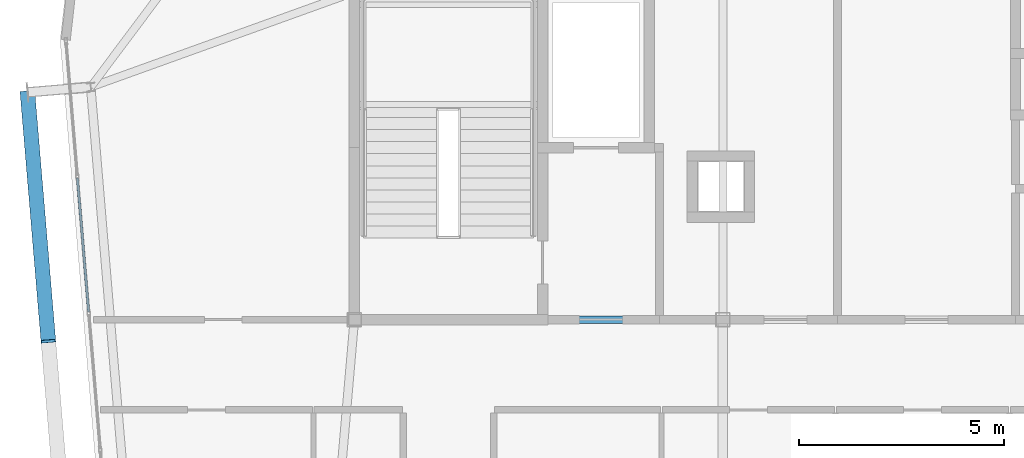
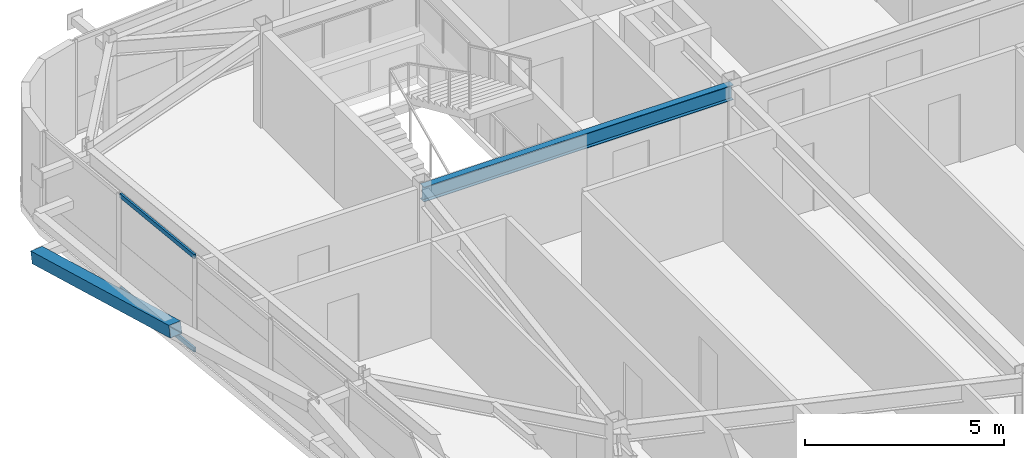
# One storey, part 16 of 44: 3 members, 1 beam, 1 element without a shape of its own.
"""IFC4 building model written with IfcOpenShell, lengths in metres."""

import ifcopenshell
import ifcopenshell.guid

model = None  # the IFC model being written
_history = None  # IfcOwnerHistory: only IFC2X3 demands one
_inside = {}  # id of a spatial element -> (the spatial element, [elements in it])
_under = {}  # id of a project, library or spatial element -> (it, [spatial elements below it])
_declared = {}  # id of a project -> (the project, [libraries it declares])
_typed = {}  # id of a type object -> (the type object, [elements of that type])
_made_of = {}  # id of a material, layer set ... -> (it, [elements and type objects made of it])


def new_model(schema):
    """Start an empty IFC model of exactly this schema.

    Asked for "IFC4X3", IfcOpenShell would pick the latest addendum, in which some entities
    have other attributes; the version numbers below select the first issue.
    IFC2X3 requires an IfcOwnerHistory on every rooted entity: one is made here for all.
    """
    global model, _history
    if schema == "IFC4X3":
        model = ifcopenshell.file(schema_version=(4, 3, 0, 0))
    else:
        model = ifcopenshell.file(schema=schema)
    _inside.clear()
    _under.clear()
    _declared.clear()
    _typed.clear()
    _made_of.clear()
    _history = None
    if model.schema == "IFC2X3":
        org = make("IfcOrganization", Name="unknown")
        user = make(
            "IfcPersonAndOrganization",
            ThePerson=make("IfcPerson", FamilyName="unknown"),
            TheOrganization=org,
        )
        app = make(
            "IfcApplication",
            ApplicationDeveloper=org,
            Version="unknown",
            ApplicationFullName="unknown",
            ApplicationIdentifier="unknown",
        )
        _history = make(
            "IfcOwnerHistory",
            OwningUser=user,
            OwningApplication=app,
            ChangeAction="ADDED",
            CreationDate=0,
        )
    return model


def make(cls, **values):
    """One entity of the class cls with the attributes given. An attribute that is None is left unset."""
    return model.create_entity(
        cls, **{name: value for name, value in values.items() if value is not None}
    )


def rooted(cls, **values):
    """An entity with a GlobalId (a new one), such as an element, a storey or a relation."""
    return make(cls, GlobalId=ifcopenshell.guid.new(), OwnerHistory=_history, **values)


def si_unit(unit_type, name, prefix=None):
    """IfcSIUnit, for example si_unit("LENGTHUNIT", "METRE", prefix="MILLI")."""
    return make("IfcSIUnit", UnitType=unit_type, Prefix=prefix, Name=name)


def assignment(units):
    """IfcUnitAssignment: the units of a project."""
    return None if units is None else make("IfcUnitAssignment", Units=units)


def point(xyz):
    """IfcCartesianPoint."""
    return None if xyz is None else make("IfcCartesianPoint", Coordinates=xyz)


def direction(xyz):
    """IfcDirection."""
    return None if xyz is None else make("IfcDirection", DirectionRatios=xyz)


def frame(location, z_axis=None, x_axis=None):
    """IfcAxis2Placement3D, a coordinate frame: its origin and axes. An axis left out is left unset."""
    return make(
        "IfcAxis2Placement3D",
        Location=point(location),
        Axis=direction(z_axis),
        RefDirection=direction(x_axis),
    )


def frame_2d(location, x_axis=None):
    """IfcAxis2Placement2D, a coordinate frame in the plane: its origin and x axis."""
    return make(
        "IfcAxis2Placement2D", Location=point(location), RefDirection=direction(x_axis)
    )


def origin():
    """The frame at (0, 0, 0) with its axes left unset."""
    return frame((0.0, 0.0, 0.0))


def origin_2d():
    """The frame at (0, 0) in the plane with its x axis left unset."""
    return frame_2d((0.0, 0.0))


def place(relative_to, where):
    """IfcLocalPlacement: puts the frame where relative to a parent placement (None: the world)."""
    return make(
        "IfcLocalPlacement", PlacementRelTo=relative_to, RelativePlacement=where
    )


def context(
    kind, dimensions, precision=None, world=None, true_north=None, identifier=None
):
    """IfcGeometricRepresentationContext, for example the 3D "Model" context."""
    return make(
        "IfcGeometricRepresentationContext",
        ContextIdentifier=identifier,
        ContextType=kind,
        CoordinateSpaceDimension=dimensions,
        Precision=precision,
        WorldCoordinateSystem=world,
        TrueNorth=true_north,
    )


def subcontext(parent, identifier, kind, view, scale=None):
    """IfcGeometricRepresentationSubContext, for example "Body" below "Model"."""
    return make(
        "IfcGeometricRepresentationSubContext",
        ContextIdentifier=identifier,
        ContextType=kind,
        ParentContext=parent,
        TargetScale=scale,
        TargetView=view,
    )


def project(units=None, contexts=None):
    """IfcProject with its units and contexts."""
    return rooted(
        "IfcProject",
        Name="project",
        RepresentationContexts=contexts,
        UnitsInContext=assignment(units),
    )


def spatial(cls, under=None, at=None, **own):
    """A site, building, storey or space (cls), placed at a placement, below another one or the project."""
    s = rooted(cls, ObjectPlacement=at, **own)
    if under is not None:
        _under.setdefault(under.id(), (under, []))[1].append(s)
    return s


def profile(cls, at=None, kind="AREA", **sizes):
    """A parametric profile (cls). Its sizes go by their IFC names, for example OverallWidth=200.0."""
    return make(cls, ProfileType=kind, Position=at, **sizes)


def hollow_rectangle(**sizes):
    """IfcRectangleHollowProfileDef."""
    return profile("IfcRectangleHollowProfileDef", **sizes)


def i_section(**sizes):
    """IfcIShapeProfileDef."""
    return profile("IfcIShapeProfileDef", **sizes)


def extrude(swept, where, along, depth):
    """IfcExtrudedAreaSolid: the profile swept, set in the frame where, extruded along a direction by depth."""
    return make(
        "IfcExtrudedAreaSolid",
        SweptArea=swept,
        Position=where,
        ExtrudedDirection=direction(along),
        Depth=depth,
    )


def shape(context_of_items, identifier, shape_type, items):
    """IfcShapeRepresentation: the items that make up one representation, for example the "Body"."""
    return make(
        "IfcShapeRepresentation",
        ContextOfItems=context_of_items,
        RepresentationIdentifier=identifier,
        RepresentationType=shape_type,
        Items=items,
    )


def source(mapping_origin, context_of_items, identifier, shape_type, items):
    """IfcRepresentationMap: a shape defined once, which mapped items show again and again."""
    return make(
        "IfcRepresentationMap",
        MappingOrigin=mapping_origin,
        MappedRepresentation=shape(context_of_items, identifier, shape_type, items),
    )


def transform(
    local_origin,
    x_axis=None,
    y_axis=None,
    z_axis=None,
    scale=None,
    scale2=None,
    scale3=None,
    uniform=True,
):
    """IfcCartesianTransformationOperator3D, or its non-uniform kind. x_axis, y_axis, z_axis: its Axis1, 2, 3."""
    if uniform:
        return make(
            "IfcCartesianTransformationOperator3D",
            Axis1=direction(x_axis),
            Axis2=direction(y_axis),
            LocalOrigin=point(local_origin),
            Scale=scale,
            Axis3=direction(z_axis),
        )
    return make(
        "IfcCartesianTransformationOperator3DnonUniform",
        Axis1=direction(x_axis),
        Axis2=direction(y_axis),
        LocalOrigin=point(local_origin),
        Scale=scale,
        Axis3=direction(z_axis),
        Scale2=scale2,
        Scale3=scale3,
    )


def mapped(mapping_source, mapping_target):
    """IfcMappedItem: shows the shape of a source again, moved by a transform."""
    return make(
        "IfcMappedItem", MappingSource=mapping_source, MappingTarget=mapping_target
    )


def material(Name=None, Category=None):
    """IfcMaterial."""
    return make("IfcMaterial", Name=Name, Category=Category)


def layer(
    of_material, thickness, ventilated=None, Name=None, Category=None, Priority=None
):
    """IfcMaterialLayer: one layer of a wall or slab, of a material (None: an air gap)."""
    return make(
        "IfcMaterialLayer",
        Material=of_material,
        LayerThickness=thickness,
        IsVentilated=ventilated,
        Name=Name,
        Category=Category,
        Priority=Priority,
    )


def layer_set(layers, Name=None):
    """IfcMaterialLayerSet."""
    return make("IfcMaterialLayerSet", MaterialLayers=layers, LayerSetName=Name)


def material_profile(
    of_material, cross_section, Name=None, Category=None, Priority=None
):
    """IfcMaterialProfile: a cross section and its material."""
    return make(
        "IfcMaterialProfile",
        Name=Name,
        Material=of_material,
        Profile=cross_section,
        Priority=Priority,
        Category=Category,
    )


def profile_set(profiles, Name=None, composite=None):
    """IfcMaterialProfileSet."""
    return make(
        "IfcMaterialProfileSet",
        Name=Name,
        MaterialProfiles=profiles,
        CompositeProfile=composite,
    )


def made_of(thing, what):
    """Note that an element or type object is made of a material, layer set ...; save() writes the relation."""
    if what is not None:
        _made_of.setdefault(what.id(), (what, []))[1].append(thing)
    return thing


def type_object(cls, material=None, **own):
    """A type object (cls), such as IfcWallType, which elements share."""
    return made_of(rooted(cls, **own), material)


def element(
    cls,
    number,
    at=None,
    inside=None,
    cuts=None,
    type_object=None,
    material=None,
    context=None,
    identifier="Body",
    shape_type=None,
    held_by="IfcProductDefinitionShape",
    body=None,
    shapes=None,
    **own,
):
    """One element of the class cls, such as IfcWall. Its Tag is "e" and its number.

    at: its placement. inside: the storey or other place that contains it. cuts: it is an
    opening in that element (IfcRelVoidsElement). A single representation is given by context,
    identifier, shape_type and body (its items); several are given by shapes. held_by: the class
    of the entity that holds the representations. save() writes the other relations.
    """
    e = rooted(cls, Tag="e%d" % number, ObjectPlacement=at, **own)
    if body is not None:
        shapes = [shape(context, identifier, shape_type, body)]
    if shapes is not None:
        e.Representation = make(held_by, Representations=shapes)
    if inside is not None:
        _inside.setdefault(inside.id(), (inside, []))[1].append(e)
    if cuts is not None:
        rooted(
            "IfcRelVoidsElement", RelatingBuildingElement=cuts, RelatedOpeningElement=e
        )
    if type_object is not None:
        _typed.setdefault(type_object.id(), (type_object, []))[1].append(e)
    return made_of(e, material)


def aggregate(whole, parts):
    """IfcRelAggregates: a whole, such as a stair, and the parts it consists of."""
    return rooted("IfcRelAggregates", RelatingObject=whole, RelatedObjects=parts)


def save(model, path):
    """Write the relations noted so far, then the file.

    IfcRelAggregates (storeys below a building ...), IfcRelContainedInSpatialStructure (elements
    in a storey), IfcRelDefinesByType, IfcRelAssociatesMaterial and IfcRelDeclares: one each for
    every whole, place, type object, material and project.
    """
    for whole, parts in _under.values():
        aggregate(whole, parts)
    for where, things in _inside.values():
        rooted(
            "IfcRelContainedInSpatialStructure",
            RelatedElements=things,
            RelatingStructure=where,
        )
    for kind, things in _typed.values():
        rooted("IfcRelDefinesByType", RelatedObjects=things, RelatingType=kind)
    for what, things in _made_of.values():
        rooted("IfcRelAssociatesMaterial", RelatedObjects=things, RelatingMaterial=what)
    for by, libraries in _declared.values():
        rooted("IfcRelDeclares", RelatingContext=by, RelatedDefinitions=libraries)
    model.write(path)


model = new_model("IFC4")

# Units and contexts
model_context = context("Model", 3, precision=1e-05, world=origin(), true_north=direction((0.0, 1.0)))
body_context = subcontext(model_context, "Body", "Model", "MODEL_VIEW")
ifc_project = project(units=[si_unit("LENGTHUNIT", "METRE"), si_unit("AREAUNIT", "SQUARE_METRE"), si_unit("VOLUMEUNIT", "CUBIC_METRE"), si_unit("PLANEANGLEUNIT", "RADIAN"), si_unit("MASSUNIT", "GRAM", prefix="KILO")], contexts=[model_context])

# Site, building, storey
site_placement = place(None, origin())
site = spatial("IfcSite", under=ifc_project, at=site_placement, CompositionType="ELEMENT")
building_placement = place(site_placement, origin())
building = spatial("IfcBuilding", under=site, at=building_placement, Name="Taldren Reach Tower", CompositionType="ELEMENT")
storey_placement = place(building_placement, frame((0.0, 0.0, 191.449951171875)))
storey = spatial("IfcBuildingStorey", under=building, at=storey_placement, Name="L58", CompositionType="ELEMENT", Elevation=191.449951171875)

# Beam
ifc_material_1 = material(Name="Steel Gr 350 (350PLUS)", Category="steel")
ifc_material_profile_1 = material_profile(ifc_material_1, i_section(OverallWidth=0.19091796875, OverallDepth=0.4599609375, WebThickness=0.010009765625, FlangeThickness=0.01611328125, at=origin_2d()), Name="460UB82.1")
ifc_profile_set_1 = profile_set([ifc_material_profile_1], Name="Steel Gr 350 (350PLUS)")
beam_type = type_object("IfcBeamType", Name="BM-UB460A", PredefinedType="BEAM", material=ifc_profile_set_1)
shared_shape_1 = source(origin(), body_context, "Body", "SweptSolid", [
    extrude(i_section(OverallWidth=0.19091796875, OverallDepth=0.4599609375, WebThickness=0.010009765625, FlangeThickness=0.01611328125, at=origin_2d()), origin(), (0.0, 0.0, 1.0), 9.0),
])
beam_placement = place(storey_placement, frame((19.0, 24.0, 2.699951171875), z_axis=(1.0, 0.0, 0.0), x_axis=(0.0, 1.0, 0.0)))
element("IfcBeam", 1, at=beam_placement, inside=storey, type_object=beam_type, Name="Core-spine girder L58-SP01", PredefinedType="BEAM", context=body_context, shape_type="MappedRepresentation", body=[
    mapped(shared_shape_1, transform((0.0, 0.0, 0.0), scale=1.0)),
])

# Member
ifc_material_2 = material(Name="Steel Gr 450 (C450L0)", Category="steel")
ifc_material_profile_2 = material_profile(ifc_material_2, hollow_rectangle(XDim=0.360107421875, YDim=0.360107421875, WallThickness=0.0126953125, at=origin_2d()), Name="360x360x12.7SHS")
ifc_profile_set_2 = profile_set([ifc_material_profile_2], Name="Steel Gr 450 (C450L0)")
member_type_1 = type_object("IfcMemberType", Name="MB-EXO356", PredefinedType="BRACE", material=ifc_profile_set_2)
shared_shape_2 = source(origin(), body_context, "Body", "SweptSolid", [
    extrude(hollow_rectangle(XDim=0.360107421875, YDim=0.360107421875, WallThickness=0.0126953125, at=origin_2d()), origin(), (0.0, 0.0, 1.0), 6.219970703125),
])
member_1_placement = place(storey_placement, frame((11.017333984375, 29.552734375, 0.219970703125), z_axis=(0.082075564879, -0.977291924611, 0.195356330179), x_axis=(0.996492003099, 0.083688038336, 0.0)))
element("IfcMember", 2, at=member_1_placement, inside=storey, type_object=member_type_1, Name="Exoskeleton Diagrid Brace B4-W2 L58", PredefinedType="BRACE", context=body_context, shape_type="MappedRepresentation", body=[
    mapped(shared_shape_2, transform((0.0, 0.0, 0.0), scale=1.0)),
])

# Curtain wall, members
ifc_material_3 = material(Name="Aluminium and Low-E Glass Unitised System", Category="aluminium")
ifc_layer = layer(ifc_material_3, 0.159912109375)
ifc_layer_set = layer_set([ifc_layer], Name="Aluminium and Low-E Glass Unitised System")
curtain_wall_type = type_object("IfcCurtainWallType", Name="CW-SYS-5", PredefinedType="NOTDEFINED", material=ifc_layer_set)
curtain_wall_placement = place(storey_placement, origin())
curtain_wall = element("IfcCurtainWall", 3, at=curtain_wall_placement, inside=storey, type_object=curtain_wall_type, Name="Unitised curtain wall CW-L58-W", PredefinedType="NOTDEFINED")
ifc_material_4 = material(Name="Anodised Aluminium 6063-T6", Category="aluminium")
ifc_material_profile_3 = material_profile(ifc_material_4, hollow_rectangle(XDim=0.06005859375, YDim=0.135009765625, WallThickness=0.00341796875, at=origin_2d()), Name="ALU-135x60x3.5RHS")
ifc_profile_set_3 = profile_set([ifc_material_profile_3], Name="Anodised Aluminium 6063-T6")
member_type_2 = type_object("IfcMemberType", Name="CW-TRN-150", PredefinedType="USERDEFINED", material=ifc_profile_set_3)
shared_shape_3 = source(origin(), body_context, "Body", "SweptSolid", [
    extrude(hollow_rectangle(XDim=0.06005859375, YDim=0.135009765625, WallThickness=0.00341796875, at=origin_2d()), origin(), (0.0, 0.0, 1.0), 3.280029296875),
])
member_2_placement = place(storey_placement, frame((12.236572265625, 27.46240234375, 0.030029296875), z_axis=(0.083661452101, -0.996494235524, 0.0), x_axis=(0.996494235524, 0.083661452101, 0.0)))
member_2 = element("IfcMember", 4, at=member_2_placement, type_object=member_type_2, Name="CW-5 transom 2.1", ObjectType="TRANSOM", PredefinedType="USERDEFINED", context=body_context, shape_type="MappedRepresentation", body=[
    mapped(shared_shape_3, transform((0.0, 0.0, 0.0), scale=1.0)),
])
member_3_placement = place(storey_placement, frame((12.236572265625, 27.46240234375, 2.900146484375), z_axis=(0.083661452101, -0.996494235524, 0.0), x_axis=(0.996494235524, 0.083661452101, 0.0)))
member_3 = element("IfcMember", 5, at=member_3_placement, type_object=member_type_2, Name="CW-5 transom 2.2", ObjectType="TRANSOM", PredefinedType="USERDEFINED", context=body_context, shape_type="MappedRepresentation", body=[
    mapped(shared_shape_3, transform((0.0, 0.0, 0.0), scale=1.0)),
])
aggregate(curtain_wall, [member_2, member_3])

save(model, "model.ifc")
